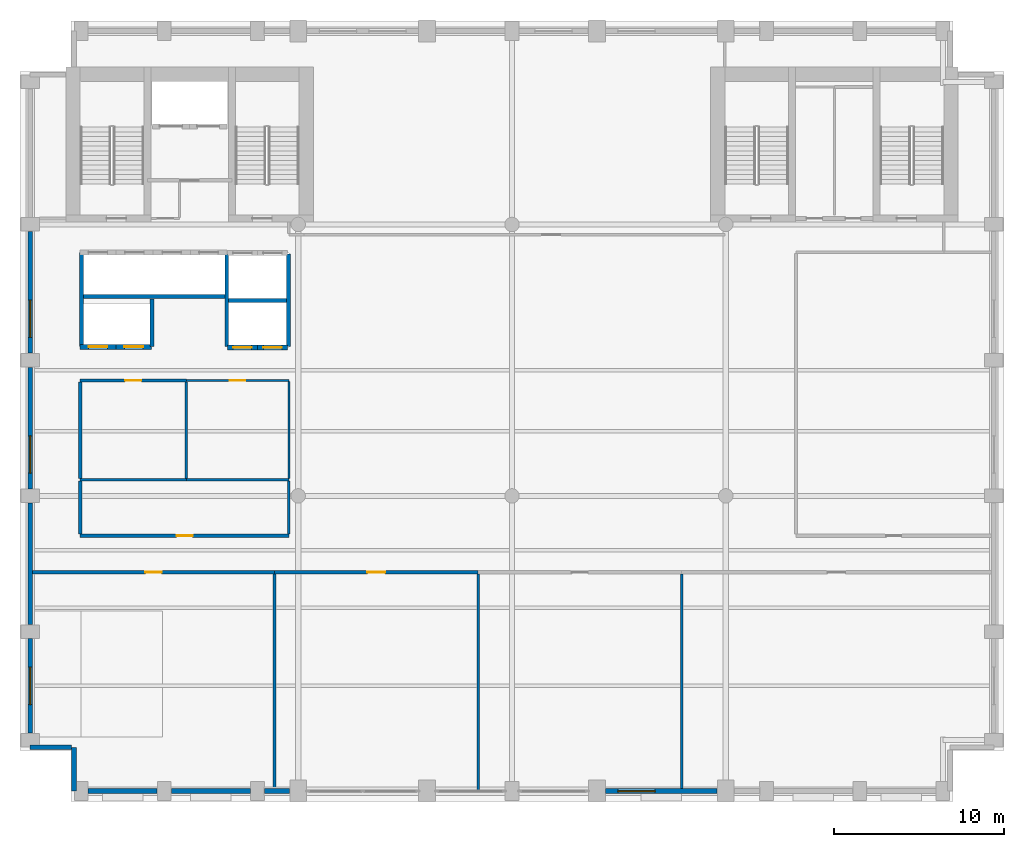
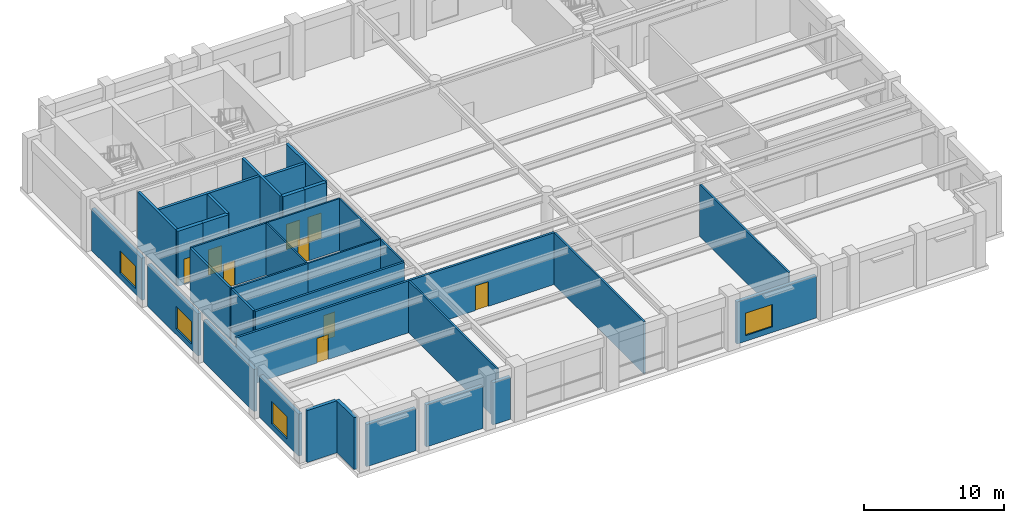
# One storey, part 4 of 10: 35 walls, 9 doors, 4 windows, 13 openings.
"""IFC4 building model written with IfcOpenShell, lengths in metres."""

from ifc_helpers import new_model, si_unit, direction, frame, frame_2d, origin, place, context, subcontext, project, spatial, rectangle, extrude, material, layer, layer_set, type_object, element, fill, save


model = new_model("IFC4")

# Units and contexts
model_context = context("Model", 3, precision=1e-05, world=origin(), true_north=direction((0.0, 1.0)))
body_context = subcontext(model_context, "Body", "Model", "MODEL_VIEW")
ifc_project = project(units=[si_unit("LENGTHUNIT", "METRE"), si_unit("AREAUNIT", "SQUARE_METRE"), si_unit("VOLUMEUNIT", "CUBIC_METRE"), si_unit("PLANEANGLEUNIT", "RADIAN"), si_unit("MASSUNIT", "GRAM", prefix="KILO")], contexts=[model_context])

# Site, building, storey
site_placement = place(None, origin())
site = spatial("IfcSite", under=ifc_project, at=site_placement, CompositionType="ELEMENT")
building_placement = place(site_placement, origin())
building = spatial("IfcBuilding", under=site, at=building_placement, Name="Sulina Concourse Tower", CompositionType="ELEMENT")
storey_placement = place(building_placement, frame((0.0, 0.0, 165.800048828125)))
storey = spatial("IfcBuildingStorey", under=building, at=storey_placement, Name="L40", CompositionType="ELEMENT", Elevation=165.800048828125)

# Walls
ifc_material_1 = material(Name="Concrete C50/60", Category="concrete")
ifc_layer_1 = layer(ifc_material_1, 0.219970703125)
ifc_layer_set_1 = layer_set([ifc_layer_1], Name="Concrete C50/60")
wall_type_1 = type_object("IfcWallType", Name="Core Lift Hoistway Divider Wall 220mm", PredefinedType="SOLIDWALL", material=ifc_layer_set_1)
wall_1_placement = place(storey_placement, frame((3.550048828125, 29.75, 0.0), z_axis=(0.0, 0.0, 1.0), x_axis=(1.0, 0.0, 0.0)))
element("IfcWall", 1, at=wall_1_placement, inside=storey, type_object=wall_type_1, Name="L40 shaft divider wall HW-LP3-S", PredefinedType="SOLIDWALL", context=body_context, shape_type="SweptSolid", body=[
    extrude(rectangle(XDim=8.64990234375, YDim=0.219970703125, at=frame_2d((4.324951171875, 0.0))), origin(), (0.0, 0.0, 1.0), 4.800048828125),
])
wall_2_placement = place(storey_placement, frame((3.6298828125, 26.800048828125, 0.0), z_axis=(0.0, 0.0, 1.0), x_axis=(0.0, 1.0, 0.0)))
element("IfcWall", 2, at=wall_2_placement, inside=storey, type_object=wall_type_1, Name="L40 shaft divider wall HW-LP3-W", PredefinedType="SOLIDWALL", context=body_context, shape_type="SweptSolid", body=[
    extrude(rectangle(XDim=5.550048828125, YDim=0.219970703125, at=frame_2d((2.77490234375, 0.0))), origin(), (0.0, 0.0, 1.0), 4.800048828125),
])
wall_3_placement = place(storey_placement, frame((7.780029296875, 26.800048828125, 0.0), z_axis=(0.0, 0.0, 1.0), x_axis=(0.0, 1.0, 0.0)))
element("IfcWall", 3, at=wall_3_placement, inside=storey, type_object=wall_type_1, Name="L40 shaft divider wall HW-EXP-E", PredefinedType="SOLIDWALL", context=body_context, shape_type="SweptSolid", body=[
    extrude(rectangle(XDim=2.800048828125, YDim=0.219970703125, at=frame_2d((1.39990234375, 0.0))), origin(), (0.0, 0.0, 1.0), 4.800048828125),
])
for number, where, z_axis, x_axis, name in (
    (4, (12.179931640625, 26.800048828125, 0.0), (0.0, 0.0, 1.0), (0.0, 1.0, 0.0), "L40 shaft divider wall HW-LP2-W"),
    (5, (15.820068359375, 26.800048828125, 0.0), (0.0, 0.0, 1.0), (0.0, 1.0, 0.0), "L40 shaft divider wall HW-LP2-E"),
):
    element("IfcWall", number, at=place(storey_placement, frame(where, z_axis=z_axis, x_axis=x_axis)), inside=storey, type_object=wall_type_1, Name=name, PredefinedType="SOLIDWALL", context=body_context, shape_type="SweptSolid", body=[
        extrude(rectangle(XDim=5.449951171875, YDim=0.219970703125, at=frame_2d((2.72509765625, 0.0))), origin(), (0.0, 0.0, 1.0), 4.800048828125),
    ])
wall_4_placement = place(storey_placement, frame((12.300048828125, 29.52001953125, 0.0), z_axis=(0.0, 0.0, 1.0), x_axis=(1.0, 0.0, 0.0)))
element("IfcWall", 6, at=wall_4_placement, inside=storey, type_object=wall_type_1, Name="L40 shaft divider wall HW-LP2-M", PredefinedType="SOLIDWALL", context=body_context, shape_type="SweptSolid", body=[
    extrude(rectangle(XDim=3.39990234375, YDim=0.219970703125, at=frame_2d((1.699951171875, 0.0))), origin(), (0.0, 0.0, 1.0), 4.800048828125),
])

# Wall, opening, door
ifc_material_2 = material(Name="Concrete C50/60", Category="concrete")
ifc_layer_2 = layer(ifc_material_2, 0.300048828125)
ifc_layer_set_2 = layer_set([ifc_layer_2], Name="Concrete C50/60")
wall_type_2 = type_object("IfcWallType", Name="Core Lift Hoistway Wall 300mm", PredefinedType="SOLIDWALL", material=ifc_layer_set_2)
wall_5_placement = place(storey_placement, frame((14.0, 26.75, 0.0), z_axis=(0.0, 0.0, 1.0), x_axis=(-1.0, 0.0, 0.0)))
wall_5 = element("IfcWall", 7, at=wall_5_placement, inside=storey, type_object=wall_type_2, Name="L40 hoistway enclosure wall LP-05", PredefinedType="SOLIDWALL", context=body_context, shape_type="SweptSolid", body=[
    extrude(rectangle(XDim=1.780029296875, YDim=0.300048828125, at=frame_2d((0.89013671875, 0.0))), origin(), (0.0, 0.0, 1.0), 4.800048828125),
])
opening_1_placement = place(wall_5_placement, frame((0.340087890625, 0.0, 0.0)))
opening_1 = element("IfcOpeningElement", 8, at=opening_1_placement, cuts=wall_5, Name="Opening LD-01", PredefinedType="OPENING", context=body_context, shape_type="SweptSolid", body=[
    extrude(rectangle(XDim=1.10009765625, YDim=2.199951171875, at=frame_2d((0.550048828125, 1.10009765625))), frame((0.0, 0.159912109375, 0.0), z_axis=(0.0, -1.0, 0.0), x_axis=(1.0, 0.0, 0.0)), (0.0, 0.0, 1.0), 0.320068359375),
])
ifc_material_3 = material(Name="Stainless steel lift landing door", Category="steel")
ifc_layer_3 = layer(ifc_material_3, 0.050048828125)
ifc_layer_set_3 = layer_set([ifc_layer_3], Name="Stainless steel lift landing door")
door_type_1 = type_object("IfcDoorType", Name="Passenger Lift Sliding Landing Door 1100x2200", OperationType="SLIDING_TO_LEFT", PredefinedType="DOOR", material=ifc_layer_set_3)
door_1_placement = place(opening_1_placement, origin())
door_1 = element("IfcDoor", 9, at=door_1_placement, inside=storey, type_object=door_type_1, Name="L40 lift landing sliding door LP-05", OperationType="SLIDING_TO_LEFT", OverallHeight=2.199951171875, OverallWidth=1.10009765625, PredefinedType="DOOR", context=body_context, shape_type="SweptSolid", body=[
    extrude(rectangle(XDim=1.10009765625, YDim=2.199951171875, at=frame_2d((0.550048828125, 1.10009765625))), frame((0.0, 0.02490234375, 0.0), z_axis=(0.0, -1.0, 0.0), x_axis=(1.0, 0.0, 0.0)), (0.0, 0.0, 1.0), 0.050048828125),
])
fill(opening_1, door_1)

wall_6_placement = place(storey_placement, frame((15.780029296875, 26.75, 0.0), z_axis=(0.0, 0.0, 1.0), x_axis=(-1.0, 0.0, 0.0)))
wall_6 = element("IfcWall", 10, at=wall_6_placement, inside=storey, type_object=wall_type_2, Name="L40 hoistway enclosure wall LP-06", PredefinedType="SOLIDWALL", context=body_context, shape_type="SweptSolid", body=[
    extrude(rectangle(XDim=1.780029296875, YDim=0.300048828125, at=frame_2d((0.89013671875, 0.0))), origin(), (0.0, 0.0, 1.0), 4.800048828125),
])
opening_2_placement = place(wall_6_placement, frame((0.340087890625, 0.0, 0.0)))
opening_2 = element("IfcOpeningElement", 11, at=opening_2_placement, cuts=wall_6, Name="Opening LD-01", PredefinedType="OPENING", context=body_context, shape_type="SweptSolid", body=[
    extrude(rectangle(XDim=1.10009765625, YDim=2.199951171875, at=frame_2d((0.550048828125, 1.10009765625))), frame((0.0, 0.159912109375, 0.0), z_axis=(0.0, -1.0, 0.0), x_axis=(1.0, 0.0, 0.0)), (0.0, 0.0, 1.0), 0.320068359375),
])
door_2_placement = place(opening_2_placement, origin())
door_2 = element("IfcDoor", 12, at=door_2_placement, inside=storey, type_object=door_type_1, Name="L40 lift landing sliding door LP-06", OperationType="SLIDING_TO_RIGHT", OverallHeight=2.199951171875, OverallWidth=1.10009765625, PredefinedType="DOOR", context=body_context, shape_type="SweptSolid", body=[
    extrude(rectangle(XDim=1.10009765625, YDim=2.199951171875, at=frame_2d((0.550048828125, 1.10009765625))), frame((0.0, 0.02490234375, 0.0), z_axis=(0.0, -1.0, 0.0), x_axis=(1.0, 0.0, 0.0)), (0.0, 0.0, 1.0), 0.050048828125),
])
fill(opening_2, door_2)

wall_7_placement = place(storey_placement, frame((5.64990234375, 26.780029296875, 0.0), z_axis=(0.0, 0.0, 1.0), x_axis=(-1.0, 0.0, 0.0)))
wall_7 = element("IfcWall", 13, at=wall_7_placement, inside=storey, type_object=wall_type_2, Name="L40 hoistway enclosure wall EXP-1", PredefinedType="SOLIDWALL", context=body_context, shape_type="SweptSolid", body=[
    extrude(rectangle(XDim=2.099853515625, YDim=0.300048828125, at=frame_2d((1.0498046875, 0.0))), origin(), (0.0, 0.0, 1.0), 4.800048828125),
])
opening_3_placement = place(wall_7_placement, frame((0.5, 0.0, 0.0)))
opening_3 = element("IfcOpeningElement", 14, at=opening_3_placement, cuts=wall_7, Name="Opening LD-01", PredefinedType="OPENING", context=body_context, shape_type="SweptSolid", body=[
    extrude(rectangle(XDim=1.10009765625, YDim=2.199951171875, at=frame_2d((0.550048828125, 1.10009765625))), frame((0.0, 0.159912109375, 0.0), z_axis=(0.0, -1.0, 0.0), x_axis=(1.0, 0.0, 0.0)), (0.0, 0.0, 1.0), 0.320068359375),
])
door_3_placement = place(opening_3_placement, origin())
door_3 = element("IfcDoor", 15, at=door_3_placement, inside=storey, type_object=door_type_1, Name="L40 lift landing sliding door EXP-1", OperationType="SLIDING_TO_LEFT", OverallHeight=2.199951171875, OverallWidth=1.10009765625, PredefinedType="DOOR", context=body_context, shape_type="SweptSolid", body=[
    extrude(rectangle(XDim=1.10009765625, YDim=2.199951171875, at=frame_2d((0.550048828125, 1.10009765625))), frame((0.0, 0.02490234375, 0.0), z_axis=(0.0, -1.0, 0.0), x_axis=(1.0, 0.0, 0.0)), (0.0, 0.0, 1.0), 0.050048828125),
])
fill(opening_3, door_3)

wall_8_placement = place(storey_placement, frame((7.75, 26.780029296875, 0.0), z_axis=(0.0, 0.0, 1.0), x_axis=(-1.0, 0.0, 0.0)))
wall_8 = element("IfcWall", 16, at=wall_8_placement, inside=storey, type_object=wall_type_2, Name="L40 hoistway enclosure wall EXP-2", PredefinedType="SOLIDWALL", context=body_context, shape_type="SweptSolid", body=[
    extrude(rectangle(XDim=2.10009765625, YDim=0.300048828125, at=frame_2d((1.050048828125, 0.0))), origin(), (0.0, 0.0, 1.0), 4.800048828125),
])
opening_4_placement = place(wall_8_placement, frame((0.5, 0.0, 0.0)))
opening_4 = element("IfcOpeningElement", 17, at=opening_4_placement, cuts=wall_8, Name="Opening LD-01", PredefinedType="OPENING", context=body_context, shape_type="SweptSolid", body=[
    extrude(rectangle(XDim=1.10009765625, YDim=2.199951171875, at=frame_2d((0.550048828125, 1.10009765625))), frame((0.0, 0.159912109375, 0.0), z_axis=(0.0, -1.0, 0.0), x_axis=(1.0, 0.0, 0.0)), (0.0, 0.0, 1.0), 0.320068359375),
])
door_4_placement = place(opening_4_placement, origin())
door_4 = element("IfcDoor", 18, at=door_4_placement, inside=storey, type_object=door_type_1, Name="L40 lift landing sliding door EXP-2", OperationType="SLIDING_TO_RIGHT", OverallHeight=2.199951171875, OverallWidth=1.10009765625, PredefinedType="DOOR", context=body_context, shape_type="SweptSolid", body=[
    extrude(rectangle(XDim=1.10009765625, YDim=2.199951171875, at=frame_2d((0.550048828125, 1.10009765625))), frame((0.0, 0.02490234375, 0.0), z_axis=(0.0, -1.0, 0.0), x_axis=(1.0, 0.0, 0.0)), (0.0, 0.0, 1.0), 0.050048828125),
])
fill(opening_4, door_4)

# Wall
ifc_material_4 = material(Name="Gypsum board on steel stud", Category="steel")
ifc_layer_4 = layer(ifc_material_4, 0.14990234375)
ifc_layer_set_4 = layer_set([ifc_layer_4], Name="Gypsum board on steel stud")
wall_type_3 = type_object("IfcWallType", Name="Inter-Tenancy Acoustic Partition 150mm", PredefinedType="PARTITIONING", material=ifc_layer_set_4)
wall_9_placement = place(storey_placement, frame((3.550048828125, 18.949951171875, 0.0), z_axis=(0.0, 0.0, 1.0), x_axis=(1.0, 0.0, 0.0)))
element("IfcWall", 19, at=wall_9_placement, inside=storey, type_object=wall_type_3, Name="L40 interior partition 007", PredefinedType="PARTITIONING", context=body_context, shape_type="SweptSolid", body=[
    extrude(rectangle(XDim=6.25, YDim=0.14990234375, at=frame_2d((3.125, 0.0))), origin(), (0.0, 0.0, 1.0), 4.52490234375),
])

# Wall, opening, door
wall_10_placement = place(storey_placement, frame((3.550048828125, 24.800048828125, 0.0), z_axis=(0.0, 0.0, 1.0), x_axis=(1.0, 0.0, 0.0)))
wall_10 = element("IfcWall", 20, at=wall_10_placement, inside=storey, type_object=wall_type_3, Name="L40 interior partition 009", PredefinedType="PARTITIONING", context=body_context, shape_type="SweptSolid", body=[
    extrude(rectangle(XDim=6.25, YDim=0.14990234375, at=frame_2d((3.125, 0.0))), origin(), (0.0, 0.0, 1.0), 4.52490234375),
])
opening_5_placement = place(wall_10_placement, frame((2.64990234375, 0.0, 0.0)))
opening_5 = element("IfcOpeningElement", 21, at=opening_5_placement, cuts=wall_10, Name="Opening DR-19", PredefinedType="OPENING", context=body_context, shape_type="SweptSolid", body=[
    extrude(rectangle(XDim=0.949951171875, YDim=2.14990234375, at=frame_2d((0.47509765625, 1.074951171875))), frame((0.0, 0.0849609375, 0.0), z_axis=(0.0, -1.0, 0.0), x_axis=(1.0, 0.0, 0.0)), (0.0, 0.0, 1.0), 0.169921875),
])
ifc_material_5 = material(Name="Oak-veneered acoustic timber leaf", Category="wood")
ifc_layer_5 = layer(ifc_material_5, 0.050048828125)
ifc_layer_set_5 = layer_set([ifc_layer_5], Name="Oak-veneered acoustic timber leaf")
door_type_2 = type_object("IfcDoorType", Name="Cellular Office & Meeting Door 950x2150", OperationType="NOTDEFINED", PredefinedType="DOOR", material=ifc_layer_set_5)
door_5_placement = place(opening_5_placement, origin())
door_5 = element("IfcDoor", 22, at=door_5_placement, inside=storey, type_object=door_type_2, Name="L40 interior door L40-LR-MRG1", OperationType="SINGLE_SWING_LEFT", OverallHeight=2.14990234375, OverallWidth=0.949951171875, PredefinedType="DOOR", context=body_context, shape_type="SweptSolid", body=[
    extrude(rectangle(XDim=0.949951171875, YDim=2.14990234375, at=frame_2d((0.47509765625, 1.074951171875))), frame((0.0, 0.02490234375, 0.0), z_axis=(0.0, -1.0, 0.0), x_axis=(1.0, 0.0, 0.0)), (0.0, 0.0, 1.0), 0.050048828125),
])
fill(opening_5, door_5)

# Walls
wall_11_placement = place(storey_placement, frame((15.0, 0.739990234375, 0.0), z_axis=(0.0, 0.0, 1.0), x_axis=(0.0, 1.0, 0.0)))
element("IfcWall", 23, at=wall_11_placement, inside=storey, type_object=wall_type_3, Name="L40 interior partition 023", PredefinedType="PARTITIONING", context=body_context, shape_type="SweptSolid", body=[
    extrude(rectangle(XDim=12.669921875, YDim=0.14990234375, at=frame_2d((6.3349609375, 0.0))), origin(), (0.0, 0.0, 1.0), 4.52490234375),
])
wall_12_placement = place(storey_placement, frame((15.85009765625, 15.739990234375, 0.0), z_axis=(0.0, 0.0, 1.0), x_axis=(0.0, 1.0, 0.0)))
element("IfcWall", 24, at=wall_12_placement, inside=storey, type_object=wall_type_3, Name="L40 interior partition 024", PredefinedType="PARTITIONING", context=body_context, shape_type="SweptSolid", body=[
    extrude(rectangle(XDim=3.1474609375, YDim=0.14990234375, at=frame_2d((1.57373046875, 0.0))), origin(), (0.0, 0.0, 1.0), 4.52490234375),
])
wall_13_placement = place(storey_placement, frame((27.0, 0.60009765625, 0.0), z_axis=(0.0, 0.0, 1.0), x_axis=(0.0, 1.0, 0.0)))
element("IfcWall", 25, at=wall_13_placement, inside=storey, type_object=wall_type_3, Name="L40 interior partition 027", PredefinedType="PARTITIONING", context=body_context, shape_type="SweptSolid", body=[
    extrude(rectangle(XDim=12.809814453125, YDim=0.14990234375, at=frame_2d((6.40478515625, 0.0))), origin(), (0.0, 0.0, 1.0), 4.52490234375),
])
wall_14_placement = place(storey_placement, frame((39.0, 0.739990234375, 0.0), z_axis=(0.0, 0.0, 1.0), x_axis=(0.0, 1.0, 0.0)))
element("IfcWall", 26, at=wall_14_placement, inside=storey, type_object=wall_type_3, Name="L40 interior partition 028", PredefinedType="PARTITIONING", context=body_context, shape_type="SweptSolid", body=[
    extrude(rectangle(XDim=12.669921875, YDim=0.14990234375, at=frame_2d((6.3349609375, 0.0))), origin(), (0.0, 0.0, 1.0), 4.52490234375),
])

# Wall, opening, door
ifc_material_6 = material(Name="Gypsum board on steel stud", Category="steel")
ifc_layer_6 = layer(ifc_material_6, 0.179931640625)
ifc_layer_set_6 = layer_set([ifc_layer_6], Name="Gypsum board on steel stud")
wall_type_4 = type_object("IfcWallType", Name="Protected Corridor & Riser Partition 180mm", PredefinedType="PARTITIONING", material=ifc_layer_set_6)
wall_15_placement = place(storey_placement, frame((0.739990234375, 13.5, 0.0), z_axis=(0.0, 0.0, 1.0), x_axis=(1.0, 0.0, 0.0)))
wall_15 = element("IfcWall", 27, at=wall_15_placement, inside=storey, type_object=wall_type_4, Name="L40 interior partition 001", PredefinedType="PARTITIONING", context=body_context, shape_type="SweptSolid", body=[
    extrude(rectangle(XDim=14.260009765625, YDim=0.179931640625, at=frame_2d((7.1298828125, 0.0))), origin(), (0.0, 0.0, 1.0), 4.52490234375),
])
opening_6_placement = place(wall_15_placement, frame((6.655029296875, 0.0, 0.0)))
opening_6 = element("IfcOpeningElement", 28, at=opening_6_placement, cuts=wall_15, Name="Opening DR-19", PredefinedType="OPENING", context=body_context, shape_type="SweptSolid", body=[
    extrude(rectangle(XDim=0.949951171875, YDim=2.14990234375, at=frame_2d((0.47509765625, 1.074951171875))), frame((0.0, 0.099853515625, 0.0), z_axis=(0.0, -1.0, 0.0), x_axis=(1.0, 0.0, 0.0)), (0.0, 0.0, 1.0), 0.199951171875),
])
door_6_placement = place(opening_6_placement, origin())
door_6 = element("IfcDoor", 29, at=door_6_placement, inside=storey, type_object=door_type_2, Name="L40 interior door L40-STD-SL1", OperationType="SINGLE_SWING_LEFT", OverallHeight=2.14990234375, OverallWidth=0.949951171875, PredefinedType="DOOR", context=body_context, shape_type="SweptSolid", body=[
    extrude(rectangle(XDim=0.949951171875, YDim=2.14990234375, at=frame_2d((0.47509765625, 1.074951171875))), frame((0.0, 0.02490234375, 0.0), z_axis=(0.0, -1.0, 0.0), x_axis=(1.0, 0.0, 0.0)), (0.0, 0.0, 1.0), 0.050048828125),
])
fill(opening_6, door_6)

wall_16_placement = place(storey_placement, frame((15.0, 13.5, 0.0), z_axis=(0.0, 0.0, 1.0), x_axis=(1.0, 0.0, 0.0)))
wall_16 = element("IfcWall", 30, at=wall_16_placement, inside=storey, type_object=wall_type_4, Name="L40 interior partition 002", PredefinedType="PARTITIONING", context=body_context, shape_type="SweptSolid", body=[
    extrude(rectangle(XDim=12.0, YDim=0.179931640625, at=frame_2d((6.0, 0.0))), origin(), (0.0, 0.0, 1.0), 4.52490234375),
])
opening_7_placement = place(wall_16_placement, frame((5.47509765625, 0.0, 0.0)))
opening_7 = element("IfcOpeningElement", 31, at=opening_7_placement, cuts=wall_16, Name="Opening DR-37", PredefinedType="OPENING", context=body_context, shape_type="SweptSolid", body=[
    extrude(rectangle(XDim=1.050048828125, YDim=2.14990234375, at=frame_2d((0.52490234375, 1.074951171875))), frame((0.0, 0.099853515625, 0.0), z_axis=(0.0, -1.0, 0.0), x_axis=(1.0, 0.0, 0.0)), (0.0, 0.0, 1.0), 0.199951171875),
])
ifc_material_7 = material(Name="Oak-veneered fire door leaf")
ifc_layer_7 = layer(ifc_material_7, 0.050048828125)
ifc_layer_set_7 = layer_set([ifc_layer_7], Name="Oak-veneered fire door leaf")
door_type_3 = type_object("IfcDoorType", Name="Tenant Suite Entrance Fire Door 1050x2150", OperationType="NOTDEFINED", PredefinedType="DOOR", material=ifc_layer_set_7)
door_7_placement = place(opening_7_placement, origin())
door_7 = element("IfcDoor", 32, at=door_7_placement, inside=storey, type_object=door_type_3, Name="L40 interior door L40-MTG-SL1", OperationType="SINGLE_SWING_RIGHT", OverallHeight=2.14990234375, OverallWidth=1.050048828125, PredefinedType="DOOR", context=body_context, shape_type="SweptSolid", body=[
    extrude(rectangle(XDim=1.050048828125, YDim=2.14990234375, at=frame_2d((0.52490234375, 1.074951171875))), frame((0.0, 0.02490234375, 0.0), z_axis=(0.0, -1.0, 0.0), x_axis=(1.0, 0.0, 0.0)), (0.0, 0.0, 1.0), 0.050048828125),
])
fill(opening_7, door_7)

wall_17_placement = place(storey_placement, frame((3.550048828125, 15.64990234375, 0.0), z_axis=(0.0, 0.0, 1.0), x_axis=(1.0, 0.0, 0.0)))
wall_17 = element("IfcWall", 33, at=wall_17_placement, inside=storey, type_object=wall_type_4, Name="L40 interior partition 005", PredefinedType="PARTITIONING", context=body_context, shape_type="SweptSolid", body=[
    extrude(rectangle(XDim=12.300048828125, YDim=0.179931640625, at=frame_2d((6.14990234375, 0.0))), origin(), (0.0, 0.0, 1.0), 4.52490234375),
])
opening_8_placement = place(wall_17_placement, frame((5.675048828125, 0.0, 0.0)))
opening_8 = element("IfcOpeningElement", 34, at=opening_8_placement, cuts=wall_17, Name="Opening DR-19", PredefinedType="OPENING", context=body_context, shape_type="SweptSolid", body=[
    extrude(rectangle(XDim=0.949951171875, YDim=2.14990234375, at=frame_2d((0.47509765625, 1.074951171875))), frame((0.0, 0.099853515625, 0.0), z_axis=(0.0, -1.0, 0.0), x_axis=(1.0, 0.0, 0.0)), (0.0, 0.0, 1.0), 0.199951171875),
])
door_8_placement = place(opening_8_placement, origin())
door_8 = element("IfcDoor", 35, at=door_8_placement, inside=storey, type_object=door_type_2, Name="L40 interior door L40-OFF-SLW", OperationType="SINGLE_SWING_LEFT", OverallHeight=2.14990234375, OverallWidth=0.949951171875, PredefinedType="DOOR", context=body_context, shape_type="SweptSolid", body=[
    extrude(rectangle(XDim=0.949951171875, YDim=2.14990234375, at=frame_2d((0.47509765625, 1.074951171875))), frame((0.0, 0.02490234375, 0.0), z_axis=(0.0, -1.0, 0.0), x_axis=(1.0, 0.0, 0.0)), (0.0, 0.0, 1.0), 0.050048828125),
])
fill(opening_8, door_8)

# Walls
wall_18_placement = place(storey_placement, frame((3.550048828125, 15.739990234375, 0.0), z_axis=(0.0, 0.0, 1.0), x_axis=(0.0, 1.0, 0.0)))
element("IfcWall", 36, at=wall_18_placement, inside=storey, type_object=wall_type_4, Name="L40 interior partition 019", PredefinedType="PARTITIONING", context=body_context, shape_type="SweptSolid", body=[
    extrude(rectangle(XDim=3.135009765625, YDim=0.179931640625, at=frame_2d((1.5673828125, 0.0))), origin(), (0.0, 0.0, 1.0), 4.52490234375),
])
wall_19_placement = place(storey_placement, frame((3.550048828125, 19.02490234375, 0.0), z_axis=(0.0, 0.0, 1.0), x_axis=(0.0, 1.0, 0.0)))
element("IfcWall", 37, at=wall_19_placement, inside=storey, type_object=wall_type_4, Name="L40 interior partition 020", PredefinedType="PARTITIONING", context=body_context, shape_type="SweptSolid", body=[
    extrude(rectangle(XDim=5.7001953125, YDim=0.179931640625, at=frame_2d((2.85009765625, 0.0))), origin(), (0.0, 0.0, 1.0), 4.52490234375),
])
ifc_material_8 = material(Name="Precast concrete C50/60", Category="concrete")
ifc_layer_8 = layer(ifc_material_8, 0.280029296875)
ifc_layer_set_8 = layer_set([ifc_layer_8], Name="Precast concrete C50/60")
wall_type_5 = type_object("IfcWallType", Name="Typical Precast Masonry-Frame Facade Wall 280mm", PredefinedType="SOLIDWALL", material=ifc_layer_set_8)
wall_20_placement = place(storey_placement, frame((8.080078125, 0.60009765625, 0.0), z_axis=(0.0, 0.0, 1.0), x_axis=(-1.0, 0.0, 0.0)))
element("IfcWall", 38, at=wall_20_placement, inside=storey, type_object=wall_type_5, Name="L40 exterior precast wall S1", PredefinedType="SOLIDWALL", context=body_context, shape_type="SweptSolid", body=[
    extrude(rectangle(XDim=4.06005859375, YDim=0.280029296875, at=frame_2d((2.030029296875, 0.0))), origin(), (0.0, 0.0, 1.0), 3.675048828125),
])
wall_21_placement = place(storey_placement, frame((13.580078125, 0.60009765625, 0.0), z_axis=(0.0, 0.0, 1.0), x_axis=(-1.0, 0.0, 0.0)))
element("IfcWall", 39, at=wall_21_placement, inside=storey, type_object=wall_type_5, Name="L40 exterior precast wall S2", PredefinedType="SOLIDWALL", context=body_context, shape_type="SweptSolid", body=[
    extrude(rectangle(XDim=4.66015625, YDim=0.280029296875, at=frame_2d((2.330078125, 0.0))), origin(), (0.0, 0.0, 1.0), 3.675048828125),
])
wall_22_placement = place(storey_placement, frame((15.8798828125, 0.60009765625, 0.0), z_axis=(0.0, 0.0, 1.0), x_axis=(-1.0, 0.0, 0.0)))
element("IfcWall", 40, at=wall_22_placement, inside=storey, type_object=wall_type_5, Name="L40 exterior precast wall S3", PredefinedType="SOLIDWALL", context=body_context, shape_type="SweptSolid", body=[
    extrude(rectangle(XDim=1.4599609375, YDim=0.280029296875, at=frame_2d((0.72998046875, 0.0))), origin(), (0.0, 0.0, 1.0), 3.675048828125),
])

# Wall, opening, window
wall_23_placement = place(storey_placement, frame((41.080078125, 0.60009765625, 0.0), z_axis=(0.0, 0.0, 1.0), x_axis=(-1.0, 0.0, 0.0)))
wall_23 = element("IfcWall", 41, at=wall_23_placement, inside=storey, type_object=wall_type_5, Name="L40 exterior precast wall S7", PredefinedType="SOLIDWALL", context=body_context, shape_type="SweptSolid", body=[
    extrude(rectangle(XDim=6.56005859375, YDim=0.280029296875, at=frame_2d((3.280029296875, 0.0))), origin(), (0.0, 0.0, 1.0), 3.675048828125),
])
opening_9_placement = place(wall_23_placement, frame((3.639892578125, 0.0, 0.5)))
opening_9 = element("IfcOpeningElement", 42, at=opening_9_placement, cuts=wall_23, Name="Opening WN-76", PredefinedType="OPENING", context=body_context, shape_type="SweptSolid", body=[
    extrude(rectangle(XDim=2.199951171875, YDim=1.949951171875, at=frame_2d((1.10009765625, 0.97509765625))), frame((0.0, 0.14990234375, 0.0), z_axis=(0.0, -1.0, 0.0), x_axis=(1.0, 0.0, 0.0)), (0.0, 0.0, 1.0), 0.300048828125),
])
ifc_material_9 = material(Name="Low-E solar double glazing in bronze aluminium", Category="aluminium")
window_type = type_object("IfcWindowType", Name="Recessed Spandrel Window 2200x1950", PartitioningType="DOUBLE_PANEL_VERTICAL", PredefinedType="WINDOW", material=ifc_material_9)
window_1_placement = place(opening_9_placement, origin())
window_1 = element("IfcWindow", 43, at=window_1_placement, inside=storey, type_object=window_type, Name="L40 punched window S7-1", OverallHeight=1.949951171875, OverallWidth=2.199951171875, PartitioningType="SINGLE_PANEL", PredefinedType="WINDOW", context=body_context, shape_type="SweptSolid", body=[
    extrude(rectangle(XDim=2.199951171875, YDim=1.949951171875, at=frame_2d((1.10009765625, 0.97509765625))), frame((0.0, 0.030029296875, 0.0), z_axis=(0.0, -1.0, 0.0), x_axis=(1.0, 0.0, 0.0)), (0.0, 0.0, 1.0), 0.06005859375),
])
fill(opening_9, window_1)

wall_24_placement = place(storey_placement, frame((0.60009765625, 4.02001953125, 0.0), z_axis=(0.0, 0.0, 1.0), x_axis=(0.0, 1.0, 0.0)))
wall_24 = element("IfcWall", 44, at=wall_24_placement, inside=storey, type_object=wall_type_5, Name="L40 exterior precast wall W1", PredefinedType="SOLIDWALL", context=body_context, shape_type="SweptSolid", body=[
    extrude(rectangle(XDim=5.56005859375, YDim=0.280029296875, at=frame_2d((2.780029296875, 0.0))), origin(), (0.0, 0.0, 1.0), 3.675048828125),
])
opening_10_placement = place(wall_24_placement, frame((1.679931640625, 0.0, 0.5)))
opening_10 = element("IfcOpeningElement", 45, at=opening_10_placement, cuts=wall_24, Name="Opening WN-76", PredefinedType="OPENING", context=body_context, shape_type="SweptSolid", body=[
    extrude(rectangle(XDim=2.199951171875, YDim=1.949951171875, at=frame_2d((1.10009765625, 0.97509765625))), frame((0.0, 0.14990234375, 0.0), z_axis=(0.0, -1.0, 0.0), x_axis=(1.0, 0.0, 0.0)), (0.0, 0.0, 1.0), 0.300048828125),
])
window_2_placement = place(opening_10_placement, origin())
window_2 = element("IfcWindow", 46, at=window_2_placement, inside=storey, type_object=window_type, Name="L40 punched window W1-1", OverallHeight=1.949951171875, OverallWidth=2.199951171875, PartitioningType="SINGLE_PANEL", PredefinedType="WINDOW", context=body_context, shape_type="SweptSolid", body=[
    extrude(rectangle(XDim=2.199951171875, YDim=1.949951171875, at=frame_2d((1.10009765625, 0.97509765625))), frame((0.0, 0.030029296875, 0.0), z_axis=(0.0, -1.0, 0.0), x_axis=(1.0, 0.0, 0.0)), (0.0, 0.0, 1.0), 0.06005859375),
])
fill(opening_10, window_2)

# Wall
wall_25_placement = place(storey_placement, frame((0.60009765625, 10.419921875, 0.0), z_axis=(0.0, 0.0, 1.0), x_axis=(0.0, 1.0, 0.0)))
element("IfcWall", 47, at=wall_25_placement, inside=storey, type_object=wall_type_5, Name="L40 exterior precast wall W2", PredefinedType="SOLIDWALL", context=body_context, shape_type="SweptSolid", body=[
    extrude(rectangle(XDim=7.16015625, YDim=0.280029296875, at=frame_2d((3.580078125, 0.0))), origin(), (0.0, 0.0, 1.0), 3.675048828125),
])

# Wall, opening, window
wall_26_placement = place(storey_placement, frame((0.60009765625, 18.419921875, 0.0), z_axis=(0.0, 0.0, 1.0), x_axis=(0.0, 1.0, 0.0)))
wall_26 = element("IfcWall", 48, at=wall_26_placement, inside=storey, type_object=wall_type_5, Name="L40 exterior precast wall W3", PredefinedType="SOLIDWALL", context=body_context, shape_type="SweptSolid", body=[
    extrude(rectangle(XDim=7.16015625, YDim=0.280029296875, at=frame_2d((3.580078125, 0.0))), origin(), (0.0, 0.0, 1.0), 3.675048828125),
])
opening_11_placement = place(wall_26_placement, frame((0.919921875, 0.0, 0.5)))
opening_11 = element("IfcOpeningElement", 49, at=opening_11_placement, cuts=wall_26, Name="Opening WN-76", PredefinedType="OPENING", context=body_context, shape_type="SweptSolid", body=[
    extrude(rectangle(XDim=2.199951171875, YDim=1.949951171875, at=frame_2d((1.10009765625, 0.97509765625))), frame((0.0, 0.14990234375, 0.0), z_axis=(0.0, -1.0, 0.0), x_axis=(1.0, 0.0, 0.0)), (0.0, 0.0, 1.0), 0.300048828125),
])
window_3_placement = place(opening_11_placement, origin())
window_3 = element("IfcWindow", 50, at=window_3_placement, inside=storey, type_object=window_type, Name="L40 punched window W3-1", OverallHeight=1.949951171875, OverallWidth=2.199951171875, PartitioningType="SINGLE_PANEL", PredefinedType="WINDOW", context=body_context, shape_type="SweptSolid", body=[
    extrude(rectangle(XDim=2.199951171875, YDim=1.949951171875, at=frame_2d((1.10009765625, 0.97509765625))), frame((0.0, 0.030029296875, 0.0), z_axis=(0.0, -1.0, 0.0), x_axis=(1.0, 0.0, 0.0)), (0.0, 0.0, 1.0), 0.06005859375),
])
fill(opening_11, window_3)

wall_27_placement = place(storey_placement, frame((0.60009765625, 26.419921875, 0.0), z_axis=(0.0, 0.0, 1.0), x_axis=(0.0, 1.0, 0.0)))
wall_27 = element("IfcWall", 51, at=wall_27_placement, inside=storey, type_object=wall_type_5, Name="L40 exterior precast wall W4", PredefinedType="SOLIDWALL", context=body_context, shape_type="SweptSolid", body=[
    extrude(rectangle(XDim=7.16015625, YDim=0.280029296875, at=frame_2d((3.580078125, 0.0))), origin(), (0.0, 0.0, 1.0), 3.675048828125),
])
opening_12_placement = place(wall_27_placement, frame((0.919921875, 0.0, 0.5)))
opening_12 = element("IfcOpeningElement", 52, at=opening_12_placement, cuts=wall_27, Name="Opening WN-76", PredefinedType="OPENING", context=body_context, shape_type="SweptSolid", body=[
    extrude(rectangle(XDim=2.199951171875, YDim=1.949951171875, at=frame_2d((1.10009765625, 0.97509765625))), frame((0.0, 0.14990234375, 0.0), z_axis=(0.0, -1.0, 0.0), x_axis=(1.0, 0.0, 0.0)), (0.0, 0.0, 1.0), 0.300048828125),
])
window_4_placement = place(opening_12_placement, origin())
window_4 = element("IfcWindow", 53, at=window_4_placement, inside=storey, type_object=window_type, Name="L40 punched window W4-1", OverallHeight=1.949951171875, OverallWidth=2.199951171875, PartitioningType="SINGLE_PANEL", PredefinedType="WINDOW", context=body_context, shape_type="SweptSolid", body=[
    extrude(rectangle(XDim=2.199951171875, YDim=1.949951171875, at=frame_2d((1.10009765625, 0.97509765625))), frame((0.0, 0.030029296875, 0.0), z_axis=(0.0, -1.0, 0.0), x_axis=(1.0, 0.0, 0.0)), (0.0, 0.0, 1.0), 0.06005859375),
])
fill(opening_12, window_4)

# Walls
wall_28_placement = place(storey_placement, frame((3.179931640625, 0.60009765625, 0.0), z_axis=(0.0, 0.0, 1.0), x_axis=(0.0, 1.0, 0.0)))
element("IfcWall", 54, at=wall_28_placement, inside=storey, type_object=wall_type_5, Name="L40 exterior precast wall CSW1", PredefinedType="SOLIDWALL", context=body_context, shape_type="SweptSolid", body=[
    extrude(rectangle(XDim=2.579833984375, YDim=0.280029296875, at=frame_2d((1.2900390625, 0.0))), origin(), (0.0, 0.0, 1.0), 4.52490234375),
])
wall_29_placement = place(storey_placement, frame((3.034912109375, 3.179931640625, 0.0), z_axis=(0.0, 0.0, 1.0), x_axis=(-1.0, 0.0, 0.0)))
element("IfcWall", 55, at=wall_29_placement, inside=storey, type_object=wall_type_5, Name="L40 exterior precast wall CSW2", PredefinedType="SOLIDWALL", context=body_context, shape_type="SweptSolid", body=[
    extrude(rectangle(XDim=2.434814453125, YDim=0.280029296875, at=frame_2d((1.21728515625, 0.0))), origin(), (0.0, 0.0, 1.0), 4.52490234375),
])
ifc_material_10 = material(Name="Gypsum board on steel stud", Category="steel")
ifc_layer_9 = layer(ifc_material_10, 0.125)
ifc_layer_set_9 = layer_set([ifc_layer_9], Name="Gypsum board on steel stud")
wall_type_6 = type_object("IfcWallType", Name="Wet-Area Moisture-Resistant Partition 125mm", PredefinedType="PARTITIONING", material=ifc_layer_set_9)
wall_30_placement = place(storey_placement, frame((9.800048828125, 18.949951171875, 0.0), z_axis=(0.0, 0.0, 1.0), x_axis=(1.0, 0.0, 0.0)))
element("IfcWall", 56, at=wall_30_placement, inside=storey, type_object=wall_type_6, Name="L40 interior partition 008", PredefinedType="PARTITIONING", context=body_context, shape_type="SweptSolid", body=[
    extrude(rectangle(XDim=6.050048828125, YDim=0.125, at=frame_2d((3.02490234375, 0.0))), origin(), (0.0, 0.0, 1.0), 4.52490234375),
])

# Wall, opening, door
wall_31_placement = place(storey_placement, frame((9.800048828125, 24.800048828125, 0.0), z_axis=(0.0, 0.0, 1.0), x_axis=(1.0, 0.0, 0.0)))
wall_31 = element("IfcWall", 57, at=wall_31_placement, inside=storey, type_object=wall_type_6, Name="L40 interior partition 010", PredefinedType="PARTITIONING", context=body_context, shape_type="SweptSolid", body=[
    extrude(rectangle(XDim=6.050048828125, YDim=0.125, at=frame_2d((3.02490234375, 0.0))), origin(), (0.0, 0.0, 1.0), 4.52490234375),
])
opening_13_placement = place(wall_31_placement, frame((2.574951171875, 0.0, 0.0)))
opening_13 = element("IfcOpeningElement", 58, at=opening_13_placement, cuts=wall_31, Name="Opening DR-21", PredefinedType="OPENING", context=body_context, shape_type="SweptSolid", body=[
    extrude(rectangle(XDim=0.89990234375, YDim=2.10009765625, at=frame_2d((0.449951171875, 1.050048828125))), frame((0.0, 0.072509765625, 0.0), z_axis=(0.0, -1.0, 0.0), x_axis=(1.0, 0.0, 0.0)), (0.0, 0.0, 1.0), 0.14501953125),
])
ifc_material_11 = material(Name="Oak-veneered fire door leaf")
ifc_layer_10 = layer(ifc_material_11, 0.050048828125)
ifc_layer_set_10 = layer_set([ifc_layer_10], Name="Oak-veneered fire door leaf")
door_type_4 = type_object("IfcDoorType", Name="Restroom & Service Door 900x2100", OperationType="NOTDEFINED", PredefinedType="DOOR", material=ifc_layer_set_10)
door_9_placement = place(opening_13_placement, origin())
door_9 = element("IfcDoor", 59, at=door_9_placement, inside=storey, type_object=door_type_4, Name="L40 interior door L40-LR-MRG2", OperationType="SINGLE_SWING_RIGHT", OverallHeight=2.10009765625, OverallWidth=0.89990234375, PredefinedType="DOOR", context=body_context, shape_type="SweptSolid", body=[
    extrude(rectangle(XDim=0.89990234375, YDim=2.10009765625, at=frame_2d((0.449951171875, 1.050048828125))), frame((0.0, 0.02490234375, 0.0), z_axis=(0.0, -1.0, 0.0), x_axis=(1.0, 0.0, 0.0)), (0.0, 0.0, 1.0), 0.050048828125),
])
fill(opening_13, door_9)

# Walls
wall_32_placement = place(storey_placement, frame((9.800048828125, 19.02490234375, 0.0), z_axis=(0.0, 0.0, 1.0), x_axis=(0.0, 1.0, 0.0)))
element("IfcWall", 60, at=wall_32_placement, inside=storey, type_object=wall_type_6, Name="L40 interior partition 022", PredefinedType="PARTITIONING", context=body_context, shape_type="SweptSolid", body=[
    extrude(rectangle(XDim=5.7001953125, YDim=0.125, at=frame_2d((2.85009765625, 0.0))), origin(), (0.0, 0.0, 1.0), 4.52490234375),
])
wall_33_placement = place(storey_placement, frame((15.85009765625, 19.012451171875, 0.0), z_axis=(0.0, 0.0, 1.0), x_axis=(0.0, 1.0, 0.0)))
element("IfcWall", 61, at=wall_33_placement, inside=storey, type_object=wall_type_6, Name="L40 interior partition 025", PredefinedType="PARTITIONING", context=body_context, shape_type="SweptSolid", body=[
    extrude(rectangle(XDim=5.72509765625, YDim=0.125, at=frame_2d((2.862548828125, 0.0))), origin(), (0.0, 0.0, 1.0), 4.52490234375),
])

save(model, "model.ifc")
